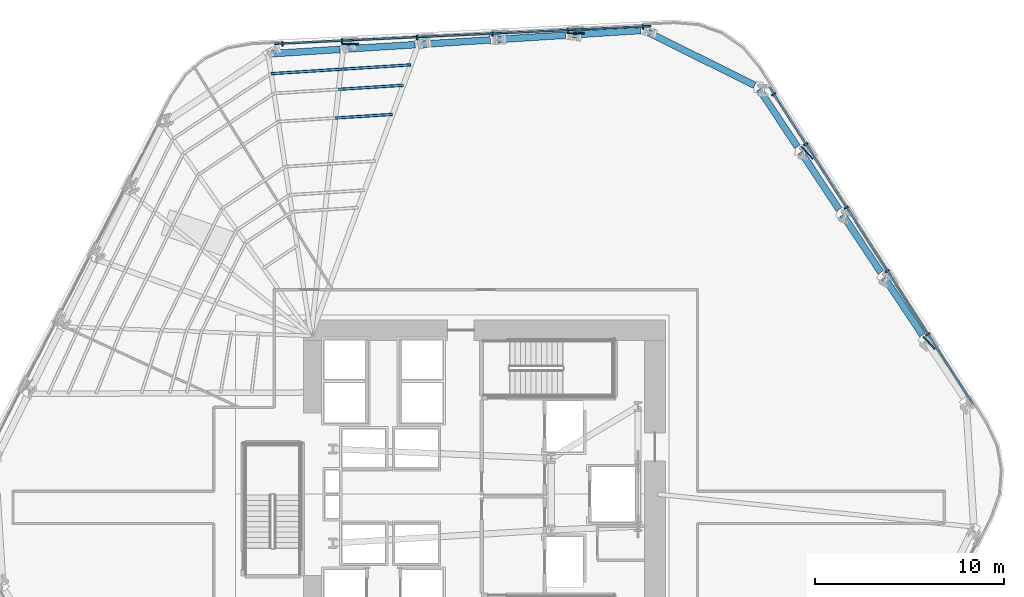
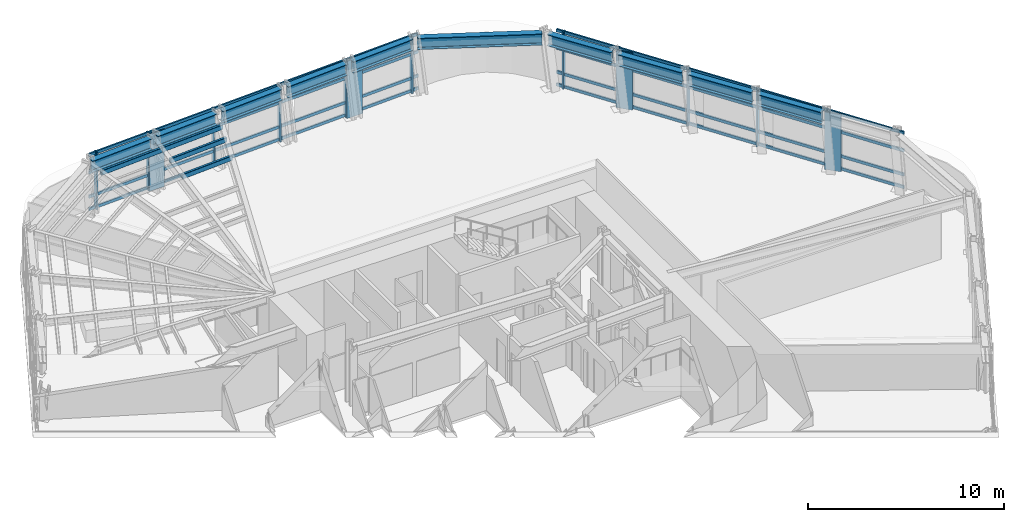
# One storey, part 6 of 15: 27 members, 10 beams, 2 elements without a shape of their own.
"""IFC4 building model written with IfcOpenShell, lengths in metres."""

from ifc_helpers import new_model, si_unit, direction, frame, origin, origin_2d, place, context, subcontext, project, spatial, rectangle, hollow_rectangle, i_section, extrude, material, layer, layer_set, material_profile, profile_set, type_object, element, aggregate, save


model = new_model("IFC4")

# Units and contexts
model_context = context("Model", 3, precision=1e-05, world=origin(), true_north=direction((0.0, 1.0)))
body_context = subcontext(model_context, "Body", "Model", "MODEL_VIEW")
ifc_project = project(units=[si_unit("LENGTHUNIT", "METRE"), si_unit("AREAUNIT", "SQUARE_METRE"), si_unit("VOLUMEUNIT", "CUBIC_METRE"), si_unit("PLANEANGLEUNIT", "RADIAN"), si_unit("MASSUNIT", "GRAM", prefix="KILO")], contexts=[model_context])

# Site, building, storey
site_placement = place(None, origin())
site = spatial("IfcSite", under=ifc_project, at=site_placement, CompositionType="ELEMENT")
building_placement = place(site_placement, origin())
building = spatial("IfcBuilding", under=site, at=building_placement, Name="Valkerne Bourse Tower", CompositionType="ELEMENT")
storey_placement = place(building_placement, frame((0.0, 0.0, 35.39990234375)))
storey = spatial("IfcBuildingStorey", under=building, at=storey_placement, Name="L08", CompositionType="ELEMENT", Elevation=35.39990234375)

# Beams
ifc_material_1 = material(Name="Steel ASTM A992", Category="steel")
ifc_material_profile_1 = material_profile(ifc_material_1, i_section(OverallWidth=0.358154296875, OverallDepth=0.7060546875, WebThickness=0.018310546875, FlangeThickness=0.0302734375, FilletRadius=0.02294921875, at=origin_2d()), Name="W27X178")
ifc_profile_set_1 = profile_set([ifc_material_profile_1], Name="Steel ASTM A992")
beam_type = type_object("IfcBeamType", Name="BM-W27X178", PredefinedType="SPANDREL", material=ifc_profile_set_1)
for number, where, z_axis, x_axis, name in (
    (1, (70.039794921875, 35.4482421875, 3.22705078125), (-0.553389631883, 0.832922514598, 0.0), (-0.832922514598, -0.553389631883, 0.0), "L08 Hexagonal Spandrel Ring Beam 01"),
    (2, (67.82861328125, 38.776611328125, 3.22705078125), (-0.553389631883, 0.832922514598, 0.0), (-0.832922514598, -0.553389631883, 0.0), "L08 Hexagonal Spandrel Ring Beam 02"),
    (3, (65.6171875, 42.10498046875, 3.22705078125), (-0.553389631883, 0.832922514598, 0.0), (-0.832922514598, -0.553389631883, 0.0), "L08 Hexagonal Spandrel Ring Beam 03"),
):
    element("IfcBeam", number, at=place(storey_placement, frame(where, z_axis=z_axis, x_axis=x_axis)), inside=storey, type_object=beam_type, Name=name, PredefinedType="SPANDREL", context=body_context, shape_type="SweptSolid", body=[
        extrude(i_section(OverallWidth=0.358154296875, OverallDepth=0.7060546875, WebThickness=0.018310546875, FlangeThickness=0.0302734375, FilletRadius=0.02294921875, at=origin_2d()), origin(), (0.0, 0.0, 1.0), 3.656005859375),
    ])
beam_1_placement = place(storey_placement, frame((63.40576171875, 45.433349609375, 3.22705078125), z_axis=(-0.553343301386, 0.832953294496, 0.0), x_axis=(-0.832953294496, -0.553343301386, 0.0)))
element("IfcBeam", 4, at=beam_1_placement, inside=storey, type_object=beam_type, Name="L08 Hexagonal Spandrel Ring Beam 04", PredefinedType="SPANDREL", context=body_context, shape_type="SweptSolid", body=[
    extrude(i_section(OverallWidth=0.358154296875, OverallDepth=0.7060546875, WebThickness=0.018310546875, FlangeThickness=0.0302734375, FilletRadius=0.02294921875, at=origin_2d()), origin(), (0.0, 0.0, 1.0), 3.65576171875),
])
beam_2_placement = place(storey_placement, frame((61.13623046875, 48.69580078125, 3.22705078125), z_axis=(-0.895707454028, 0.444643853885, 0.0), x_axis=(-0.444643853885, -0.895707454028, 0.0)))
element("IfcBeam", 5, at=beam_2_placement, inside=storey, type_object=beam_type, Name="L08 Hexagonal Spandrel Ring Beam 05", PredefinedType="SPANDREL", context=body_context, shape_type="SweptSolid", body=[
    extrude(i_section(OverallWidth=0.358154296875, OverallDepth=0.7060546875, WebThickness=0.018310546875, FlangeThickness=0.0302734375, FilletRadius=0.02294921875, at=origin_2d()), origin(), (0.0, 0.0, 1.0), 6.388916015625),
])
for number, where, z_axis, x_axis, name in (
    (6, (55.091552734375, 51.601318359375, 3.22705078125), (-0.998027815101, -0.062773244978, 0.0), (0.062773244978, -0.998027815101, 0.0), "L08 Hexagonal Spandrel Ring Beam 06"),
    (7, (51.103515625, 51.350341796875, 3.22705078125), (-0.998027815101, -0.062773244978, 0.0), (0.062773244978, -0.998027815101, 0.0), "L08 Hexagonal Spandrel Ring Beam 07"),
):
    element("IfcBeam", number, at=place(storey_placement, frame(where, z_axis=z_axis, x_axis=x_axis)), inside=storey, type_object=beam_type, Name=name, PredefinedType="SPANDREL", context=body_context, shape_type="SweptSolid", body=[
        extrude(i_section(OverallWidth=0.358154296875, OverallDepth=0.7060546875, WebThickness=0.018310546875, FlangeThickness=0.0302734375, FilletRadius=0.02294921875, at=origin_2d()), origin(), (0.0, 0.0, 1.0), 3.656005859375),
    ])
beam_3_placement = place(storey_placement, frame((47.115478515625, 51.099609375, 3.22705078125), z_axis=(-0.99802807822, -0.062769061523, 0.0), x_axis=(0.062769061523, -0.99802807822, 0.0)))
element("IfcBeam", 8, at=beam_3_placement, inside=storey, type_object=beam_type, Name="L08 Hexagonal Spandrel Ring Beam 08", PredefinedType="SPANDREL", context=body_context, shape_type="SweptSolid", body=[
    extrude(i_section(OverallWidth=0.358154296875, OverallDepth=0.7060546875, WebThickness=0.018310546875, FlangeThickness=0.0302734375, FilletRadius=0.02294921875, at=origin_2d()), origin(), (0.0, 0.0, 1.0), 3.65625),
])
for number, where, z_axis, x_axis, name in (
    (9, (43.127197265625, 50.8486328125, 3.22705078125), (-0.998027815101, -0.062773244978, 0.0), (0.062773244978, -0.998027815101, 0.0), "L08 Hexagonal Spandrel Ring Beam 09"),
    (10, (39.13916015625, 50.59765625, 3.22705078125), (-0.998027815101, -0.062773244978, 0.0), (0.062773244978, -0.998027815101, 0.0), "L08 Hexagonal Spandrel Ring Beam 10"),
):
    element("IfcBeam", number, at=place(storey_placement, frame(where, z_axis=z_axis, x_axis=x_axis)), inside=storey, type_object=beam_type, Name=name, PredefinedType="SPANDREL", context=body_context, shape_type="SweptSolid", body=[
        extrude(i_section(OverallWidth=0.358154296875, OverallDepth=0.7060546875, WebThickness=0.018310546875, FlangeThickness=0.0302734375, FilletRadius=0.02294921875, at=origin_2d()), origin(), (0.0, 0.0, 1.0), 3.656005859375),
    ])

# Curtain wall, members
ifc_material_2 = material(Name="Aluminium AA 6063-T6", Category="aluminium")
ifc_layer = layer(ifc_material_2, 0.22509765625)
ifc_layer_set = layer_set([ifc_layer], Name="Aluminium AA 6063-T6")
curtain_wall_type = type_object("IfcCurtainWallType", Name="CW-01", PredefinedType="NOTDEFINED", material=ifc_layer_set)
curtain_wall_1_placement = place(storey_placement, origin())
curtain_wall_1 = element("IfcCurtainWall", 11, at=curtain_wall_1_placement, inside=storey, type_object=curtain_wall_type, Name="L08 Hexagonal Stick Curtain Wall Face 1", PredefinedType="NOTDEFINED")
ifc_material_profile_2 = material_profile(ifc_material_2, rectangle(XDim=0.090087890625, YDim=0.239990234375, at=origin_2d()), Name="CWM-90X240")
ifc_profile_set_2 = profile_set([ifc_material_profile_2], Name="Aluminium AA 6063-T6")
member_type_1 = type_object("IfcMemberType", Name="CW-MUL-240X90", PredefinedType="MULLION", material=ifc_profile_set_2)
member_1_placement = place(storey_placement, frame((70.32080078125, 35.476318359375, 0.0), z_axis=(0.0, 0.0, 1.0), x_axis=(-0.540249033561, 0.841505188181, 0.0)))
member_1 = element("IfcMember", 12, at=member_1_placement, type_object=member_type_1, Name="CW-L08-F1 Jamb Mullion 01A", PredefinedType="MULLION", context=body_context, shape_type="SweptSolid", body=[
    extrude(rectangle(XDim=0.090087890625, YDim=0.239990234375, at=origin_2d()), origin(), (0.0, 0.0, 1.0), 3.580078125),
])
member_2_placement = place(storey_placement, frame((68.162109375, 38.8388671875, 0.0), z_axis=(0.0, 0.0, 1.0), x_axis=(-0.540237656625, 0.841512492102, 0.0)))
member_2 = element("IfcMember", 13, at=member_2_placement, type_object=member_type_1, Name="CW-L08-F1 Jamb Mullion 02A", PredefinedType="MULLION", context=body_context, shape_type="SweptSolid", body=[
    extrude(rectangle(XDim=0.090087890625, YDim=0.239990234375, at=origin_2d()), origin(), (0.0, 0.0, 1.0), 3.580078125),
])
member_3_placement = place(storey_placement, frame((66.003173828125, 42.20166015625, 0.0), z_axis=(0.0, 0.0, 1.0), x_axis=(-0.540237656625, 0.841512492102, 0.0)))
member_3 = element("IfcMember", 14, at=member_3_placement, type_object=member_type_1, Name="CW-L08-F1 Jamb Mullion 03A", PredefinedType="MULLION", context=body_context, shape_type="SweptSolid", body=[
    extrude(rectangle(XDim=0.090087890625, YDim=0.239990234375, at=origin_2d()), origin(), (0.0, 0.0, 1.0), 3.580078125),
])
member_4_placement = place(storey_placement, frame((63.844482421875, 45.564208984375, 0.0), z_axis=(0.0, 0.0, 1.0), x_axis=(-0.540237656625, 0.841512492102, 0.0)))
member_4 = element("IfcMember", 15, at=member_4_placement, type_object=member_type_1, Name="CW-L08-F1 Jamb Mullion 04A", PredefinedType="MULLION", context=body_context, shape_type="SweptSolid", body=[
    extrude(rectangle(XDim=0.090087890625, YDim=0.239990234375, at=origin_2d()), origin(), (0.0, 0.0, 1.0), 3.580078125),
])
member_5_placement = place(storey_placement, frame((62.139404296875, 48.22021484375, 0.0), z_axis=(0.0, 0.0, 1.0), x_axis=(-0.540237656625, 0.841512492102, 0.0)))
member_5 = element("IfcMember", 16, at=member_5_placement, type_object=member_type_1, Name="CW-L08-F1 Jamb Mullion 04B", PredefinedType="MULLION", context=body_context, shape_type="SweptSolid", body=[
    extrude(rectangle(XDim=0.090087890625, YDim=0.239990234375, at=origin_2d()), origin(), (0.0, 0.0, 1.0), 3.580078125),
])

curtain_wall_2_placement = place(storey_placement, origin())
curtain_wall_2 = element("IfcCurtainWall", 17, at=curtain_wall_2_placement, inside=storey, type_object=curtain_wall_type, Name="L08 Hexagonal Stick Curtain Wall Face 2", PredefinedType="NOTDEFINED")
member_6_placement = place(storey_placement, frame((55.211181640625, 51.7958984375, 0.0), z_axis=(0.0, 0.0, 1.0), x_axis=(-0.998890279552, -0.047097870623, 0.0)))
member_6 = element("IfcMember", 18, at=member_6_placement, type_object=member_type_1, Name="CW-L08-F2 Jamb Mullion 00A", PredefinedType="MULLION", context=body_context, shape_type="SweptSolid", body=[
    extrude(rectangle(XDim=0.090087890625, YDim=0.239990234375, at=origin_2d()), origin(), (0.0, 0.0, 1.0), 3.580078125),
])
member_7_placement = place(storey_placement, frame((51.2197265625, 51.607666015625, 0.0), z_axis=(0.0, 0.0, 1.0), x_axis=(-0.998889157472, -0.047121662581, 0.0)))
member_7 = element("IfcMember", 19, at=member_7_placement, type_object=member_type_1, Name="CW-L08-F2 Jamb Mullion 01A", PredefinedType="MULLION", context=body_context, shape_type="SweptSolid", body=[
    extrude(rectangle(XDim=0.090087890625, YDim=0.239990234375, at=origin_2d()), origin(), (0.0, 0.0, 1.0), 3.580078125),
])
member_8_placement = place(storey_placement, frame((47.228271484375, 51.41943359375, 0.0), z_axis=(0.0, 0.0, 1.0), x_axis=(-0.998890335061, -0.047096693327, 0.0)))
member_8 = element("IfcMember", 20, at=member_8_placement, type_object=member_type_1, Name="CW-L08-F2 Jamb Mullion 02A", PredefinedType="MULLION", context=body_context, shape_type="SweptSolid", body=[
    extrude(rectangle(XDim=0.090087890625, YDim=0.239990234375, at=origin_2d()), origin(), (0.0, 0.0, 1.0), 3.580078125),
])
member_9_placement = place(storey_placement, frame((43.236572265625, 51.231201171875, 0.0), z_axis=(0.0, 0.0, 1.0), x_axis=(-0.998890279552, -0.047097870623, 0.0)))
member_9 = element("IfcMember", 21, at=member_9_placement, type_object=member_type_1, Name="CW-L08-F2 Jamb Mullion 03A", PredefinedType="MULLION", context=body_context, shape_type="SweptSolid", body=[
    extrude(rectangle(XDim=0.090087890625, YDim=0.239990234375, at=origin_2d()), origin(), (0.0, 0.0, 1.0), 3.580078125),
])
member_10_placement = place(storey_placement, frame((39.2451171875, 51.04296875, 0.0), z_axis=(0.0, 0.0, 1.0), x_axis=(-0.998889157472, -0.047121662581, 0.0)))
member_10 = element("IfcMember", 22, at=member_10_placement, type_object=member_type_1, Name="CW-L08-F2 Jamb Mullion 04A", PredefinedType="MULLION", context=body_context, shape_type="SweptSolid", body=[
    extrude(rectangle(XDim=0.090087890625, YDim=0.239990234375, at=origin_2d()), origin(), (0.0, 0.0, 1.0), 3.580078125),
])
member_11_placement = place(storey_placement, frame((36.092529296875, 50.894287109375, 0.0), z_axis=(0.0, 0.0, 1.0), x_axis=(-0.998889157472, -0.047121662581, 0.0)))
member_11 = element("IfcMember", 23, at=member_11_placement, type_object=member_type_1, Name="CW-L08-F2 Jamb Mullion 04B", PredefinedType="MULLION", context=body_context, shape_type="SweptSolid", body=[
    extrude(rectangle(XDim=0.090087890625, YDim=0.239990234375, at=origin_2d()), origin(), (0.0, 0.0, 1.0), 3.580078125),
])

# Member
ifc_material_profile_3 = material_profile(ifc_material_2, rectangle(XDim=0.090087890625, YDim=0.179931640625, at=origin_2d()), Name="CWT-90X180")
ifc_profile_set_3 = profile_set([ifc_material_profile_3], Name="Aluminium AA 6063-T6")
member_type_2 = type_object("IfcMemberType", Name="CW-TRN-180X90", PredefinedType="USERDEFINED", material=ifc_profile_set_3)
member_12_placement = place(storey_placement, frame((72.723388671875, 31.77099609375, 0.1201171875), z_axis=(-0.540244904544, 0.841507839009, 0.0), x_axis=(-0.841507839009, -0.540244904544, 0.0)))
member_12 = element("IfcMember", 24, at=member_12_placement, type_object=member_type_2, Name="CW-L08-F1 Continuous Face Transom 1", ObjectType="TRANSOM", PredefinedType="USERDEFINED", context=body_context, shape_type="SweptSolid", body=[
    extrude(rectangle(XDim=0.090087890625, YDim=0.179931640625, at=origin_2d()), origin(), (0.0, 0.0, 1.0), 19.980224609375),
])

member_13_placement = place(storey_placement, frame((72.723388671875, 31.77099609375, 0.900146484375), z_axis=(-0.540244904544, 0.841507839009, 0.0), x_axis=(-0.841507839009, -0.540244904544, 0.0)))
member_13 = element("IfcMember", 25, at=member_13_placement, type_object=member_type_2, Name="CW-L08-F1 Continuous Face Transom 2", ObjectType="TRANSOM", PredefinedType="USERDEFINED", context=body_context, shape_type="SweptSolid", body=[
    extrude(rectangle(XDim=0.090087890625, YDim=0.179931640625, at=origin_2d()), origin(), (0.0, 0.0, 1.0), 19.980224609375),
])

member_14_placement = place(storey_placement, frame((72.723388671875, 31.77099609375, 2.400146484375), z_axis=(-0.540244904544, 0.841507839009, 0.0), x_axis=(-0.841507839009, -0.540244904544, 0.0)))
member_14 = element("IfcMember", 26, at=member_14_placement, type_object=member_type_2, Name="CW-L08-F1 Continuous Face Transom 3", ObjectType="TRANSOM", PredefinedType="USERDEFINED", context=body_context, shape_type="SweptSolid", body=[
    extrude(rectangle(XDim=0.090087890625, YDim=0.179931640625, at=origin_2d()), origin(), (0.0, 0.0, 1.0), 19.980224609375),
])

member_15_placement = place(storey_placement, frame((72.723388671875, 31.77099609375, 3.5), z_axis=(-0.540244904544, 0.841507839009, 0.0), x_axis=(-0.841507839009, -0.540244904544, 0.0)))
member_15 = element("IfcMember", 27, at=member_15_placement, type_object=member_type_2, Name="CW-L08-F1 Continuous Face Transom 4", ObjectType="TRANSOM", PredefinedType="USERDEFINED", context=body_context, shape_type="SweptSolid", body=[
    extrude(rectangle(XDim=0.090087890625, YDim=0.179931640625, at=origin_2d()), origin(), (0.0, 0.0, 1.0), 19.980224609375),
])

aggregate(curtain_wall_1, [member_12, member_13, member_14, member_15, member_1, member_2, member_3, member_4, member_5])

member_16_placement = place(storey_placement, frame((55.6298828125, 51.835693359375, 0.1201171875), z_axis=(-0.998889927087, -0.047105345382, 0.0), x_axis=(0.047105345382, -0.998889927087, 0.0)))
member_16 = element("IfcMember", 28, at=member_16_placement, type_object=member_type_2, Name="CW-L08-F2 Continuous Face Transom 1", ObjectType="TRANSOM", PredefinedType="USERDEFINED", context=body_context, shape_type="SweptSolid", body=[
    extrude(rectangle(XDim=0.090087890625, YDim=0.179931640625, at=origin_2d()), origin(), (0.0, 0.0, 1.0), 19.97998046875),
])

member_17_placement = place(storey_placement, frame((55.6298828125, 51.835693359375, 0.900146484375), z_axis=(-0.998889927087, -0.047105345382, 0.0), x_axis=(0.047105345382, -0.998889927087, 0.0)))
member_17 = element("IfcMember", 29, at=member_17_placement, type_object=member_type_2, Name="CW-L08-F2 Continuous Face Transom 2", ObjectType="TRANSOM", PredefinedType="USERDEFINED", context=body_context, shape_type="SweptSolid", body=[
    extrude(rectangle(XDim=0.090087890625, YDim=0.179931640625, at=origin_2d()), origin(), (0.0, 0.0, 1.0), 19.97998046875),
])

member_18_placement = place(storey_placement, frame((55.6298828125, 51.835693359375, 2.400146484375), z_axis=(-0.998889927087, -0.047105345382, 0.0), x_axis=(0.047105345382, -0.998889927087, 0.0)))
member_18 = element("IfcMember", 30, at=member_18_placement, type_object=member_type_2, Name="CW-L08-F2 Continuous Face Transom 3", ObjectType="TRANSOM", PredefinedType="USERDEFINED", context=body_context, shape_type="SweptSolid", body=[
    extrude(rectangle(XDim=0.090087890625, YDim=0.179931640625, at=origin_2d()), origin(), (0.0, 0.0, 1.0), 19.97998046875),
])

member_19_placement = place(storey_placement, frame((55.6298828125, 51.835693359375, 3.5), z_axis=(-0.998889927087, -0.047105345382, 0.0), x_axis=(0.047105345382, -0.998889927087, 0.0)))
member_19 = element("IfcMember", 31, at=member_19_placement, type_object=member_type_2, Name="CW-L08-F2 Continuous Face Transom 4", ObjectType="TRANSOM", PredefinedType="USERDEFINED", context=body_context, shape_type="SweptSolid", body=[
    extrude(rectangle(XDim=0.090087890625, YDim=0.179931640625, at=origin_2d()), origin(), (0.0, 0.0, 1.0), 19.97998046875),
])

aggregate(curtain_wall_2, [member_16, member_17, member_18, member_19, member_6, member_7, member_8, member_9, member_10, member_11])

# Members
ifc_material_3 = material(Name="Bronze Anodised Aluminium AA 6063-T6", Category="aluminium")
ifc_material_profile_4 = material_profile(ifc_material_3, rectangle(XDim=0.070068359375, YDim=0.89990234375, at=origin_2d()), Name="FIN-70X900")
ifc_profile_set_4 = profile_set([ifc_material_profile_4], Name="Bronze Anodised Aluminium AA 6063-T6")
member_type_3 = type_object("IfcMemberType", Name="FIN-SOLAR-900", PredefinedType="USERDEFINED", material=ifc_profile_set_4)
for number, where, z_axis, x_axis, name in (
    (32, (70.396240234375, 35.025634765625, 0.004150390625), (0.0, 0.0, 1.0), (0.735486208668, 0.677539693937, 0.0), "L08 Bronze Anodised Solar Fin F1-01"),
    (33, (63.919921875, 45.113525390625, 0.004150390625), (0.0, 0.0, 1.0), (0.735493794373, 0.677531459372, 0.0), "L08 Bronze Anodised Solar Fin F1-04"),
    (34, (51.647705078125, 51.44775390625, 0.004150390625), (0.0, 0.0, 1.0), (0.014868695691, 0.999889454834, 0.0), "L08 Bronze Anodised Solar Fin F2-01"),
    (35, (39.673095703125, 50.883056640625, 0.004150390625), (0.0, 0.0, 1.0), (0.014868695691, 0.999889454834, 0.0), "L08 Bronze Anodised Solar Fin F2-04"),
):
    element("IfcMember", number, at=place(storey_placement, frame(where, z_axis=z_axis, x_axis=x_axis)), inside=storey, type_object=member_type_3, Name=name, ObjectType="SOLAR_FIN", PredefinedType="USERDEFINED", context=body_context, shape_type="SweptSolid", body=[
        extrude(rectangle(XDim=0.070068359375, YDim=0.89990234375, at=origin_2d()), origin(), (0.0, 0.0, 1.0), 3.572021484375),
    ])
ifc_material_4 = material(Name="Steel ASTM A500 Grade C", Category="steel")
ifc_material_profile_5 = material_profile(ifc_material_4, hollow_rectangle(XDim=0.14990234375, YDim=0.300048828125, WallThickness=0.012451171875, OuterFilletRadius=0.02490234375, at=origin_2d()), Name="HSS300X150X12.5")
ifc_profile_set_5 = profile_set([ifc_material_profile_5], Name="Steel ASTM A500 Grade C")
member_type_4 = type_object("IfcMemberType", Name="MBR-HSS300X150X12.5", PredefinedType="PURLIN", material=ifc_profile_set_5)
member_20_placement = place(storey_placement, frame((41.9296875, 47.149169921875, 3.420166015625), z_axis=(-0.998027159601, -0.06278366586, 0.0), x_axis=(0.06278366586, -0.998027159601, 0.0)))
element("IfcMember", 36, at=member_20_placement, inside=storey, type_object=member_type_4, Name="L08 Secondary Composite Floor Purlin O-09", PredefinedType="PURLIN", context=body_context, shape_type="SweptSolid", body=[
    extrude(hollow_rectangle(XDim=0.14990234375, YDim=0.300048828125, WallThickness=0.012451171875, OuterFilletRadius=0.02490234375, at=origin_2d()), origin(), (0.0, 0.0, 1.0), 3.037109375),
])
member_21_placement = place(storey_placement, frame((42.499267578125, 48.695068359375, 3.420166015625), z_axis=(-0.99802595033, -0.062802885827, 0.0), x_axis=(0.062802885827, -0.99802595033, 0.0)))
element("IfcMember", 37, at=member_21_placement, inside=storey, type_object=member_type_4, Name="L08 Secondary Composite Floor Purlin T-09", PredefinedType="PURLIN", context=body_context, shape_type="SweptSolid", body=[
    extrude(hollow_rectangle(XDim=0.14990234375, YDim=0.300048828125, WallThickness=0.012451171875, OuterFilletRadius=0.02490234375, at=origin_2d()), origin(), (0.0, 0.0, 1.0), 3.4365234375),
])
for number, where, z_axis, x_axis, name in (
    (38, (42.898193359375, 49.777099609375, 3.420166015625), (-0.998025903432, -0.062803631101, 0.0), (0.062803631101, -0.998025903432, 0.0), "L08 Secondary Composite Floor Purlin U-09"),
    (39, (39.189208984375, 49.543701171875, 3.420166015625), (-0.998030018991, -0.062738195638, 0.0), (0.062738195638, -0.998030018991, 0.0), "L08 Secondary Composite Floor Purlin U-10"),
):
    element("IfcMember", number, at=place(storey_placement, frame(where, z_axis=z_axis, x_axis=x_axis)), inside=storey, type_object=member_type_4, Name=name, PredefinedType="PURLIN", context=body_context, shape_type="SweptSolid", body=[
        extrude(hollow_rectangle(XDim=0.14990234375, YDim=0.300048828125, WallThickness=0.012451171875, OuterFilletRadius=0.02490234375, at=origin_2d()), origin(), (0.0, 0.0, 1.0), 3.71630859375),
    ])

save(model, "model.ifc")
